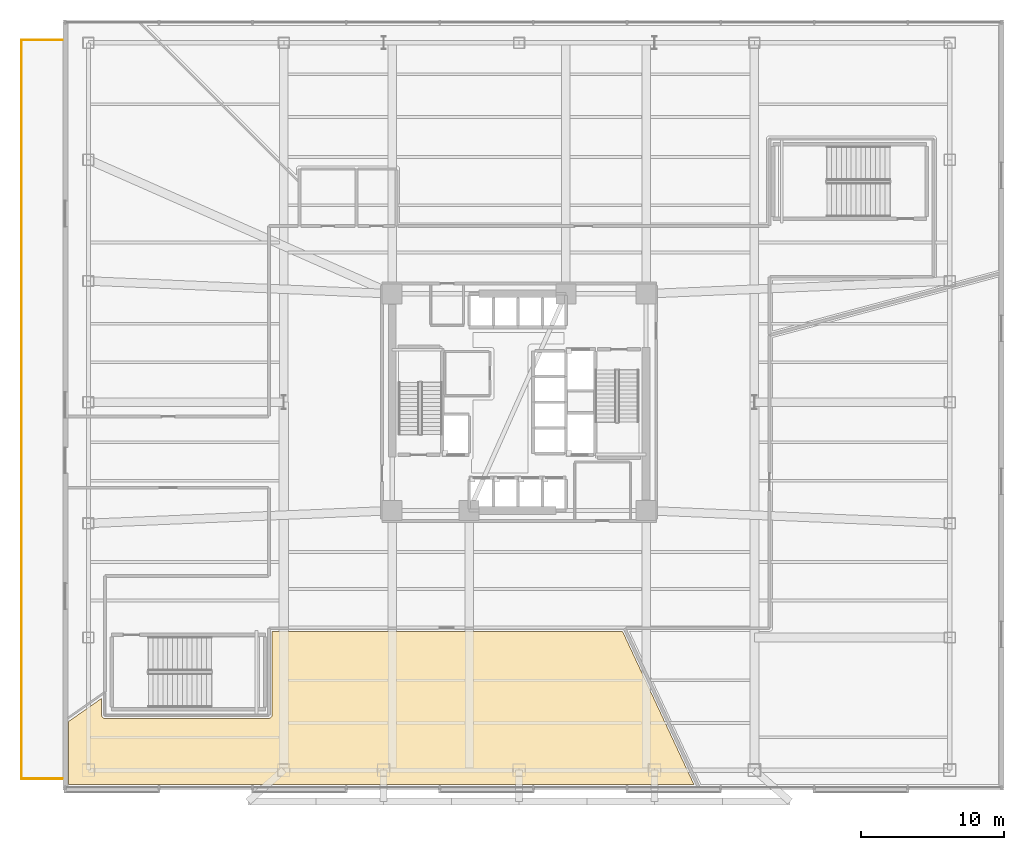
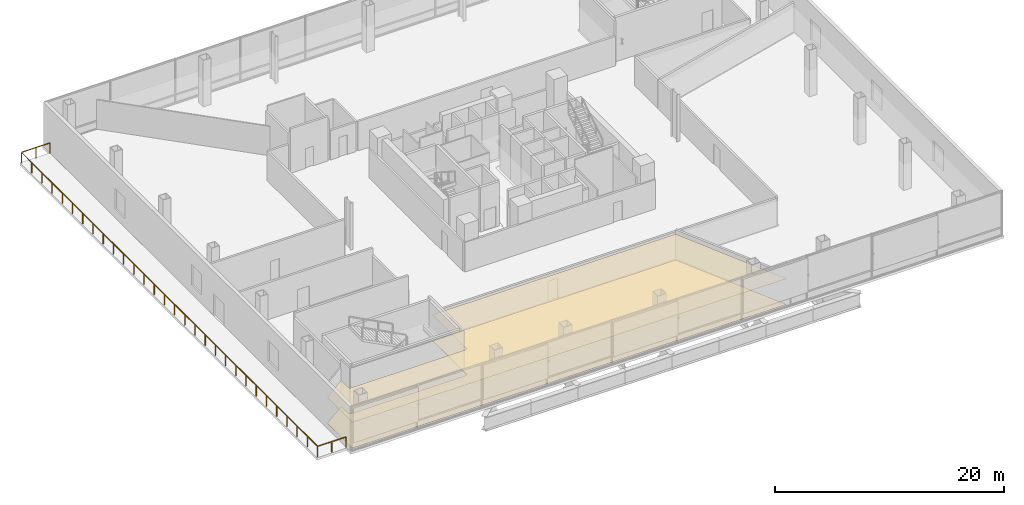
# One storey, part 17 of 20: 2 coverings, 1 railing.
"""IFC4 building model written with IfcOpenShell, lengths in metres."""

import ifcopenshell
import ifcopenshell.guid

model = None  # the IFC model being written
_history = None  # IfcOwnerHistory: only IFC2X3 demands one
_inside = {}  # id of a spatial element -> (the spatial element, [elements in it])
_under = {}  # id of a project, library or spatial element -> (it, [spatial elements below it])
_declared = {}  # id of a project -> (the project, [libraries it declares])
_typed = {}  # id of a type object -> (the type object, [elements of that type])
_made_of = {}  # id of a material, layer set ... -> (it, [elements and type objects made of it])


def new_model(schema):
    """Start an empty IFC model of exactly this schema.

    Asked for "IFC4X3", IfcOpenShell would pick the latest addendum, in which some entities
    have other attributes; the version numbers below select the first issue.
    IFC2X3 requires an IfcOwnerHistory on every rooted entity: one is made here for all.
    """
    global model, _history
    if schema == "IFC4X3":
        model = ifcopenshell.file(schema_version=(4, 3, 0, 0))
    else:
        model = ifcopenshell.file(schema=schema)
    _inside.clear()
    _under.clear()
    _declared.clear()
    _typed.clear()
    _made_of.clear()
    _history = None
    if model.schema == "IFC2X3":
        org = make("IfcOrganization", Name="unknown")
        user = make(
            "IfcPersonAndOrganization",
            ThePerson=make("IfcPerson", FamilyName="unknown"),
            TheOrganization=org,
        )
        app = make(
            "IfcApplication",
            ApplicationDeveloper=org,
            Version="unknown",
            ApplicationFullName="unknown",
            ApplicationIdentifier="unknown",
        )
        _history = make(
            "IfcOwnerHistory",
            OwningUser=user,
            OwningApplication=app,
            ChangeAction="ADDED",
            CreationDate=0,
        )
    return model


def make(cls, **values):
    """One entity of the class cls with the attributes given. An attribute that is None is left unset."""
    return model.create_entity(
        cls, **{name: value for name, value in values.items() if value is not None}
    )


def rooted(cls, **values):
    """An entity with a GlobalId (a new one), such as an element, a storey or a relation."""
    return make(cls, GlobalId=ifcopenshell.guid.new(), OwnerHistory=_history, **values)


def si_unit(unit_type, name, prefix=None):
    """IfcSIUnit, for example si_unit("LENGTHUNIT", "METRE", prefix="MILLI")."""
    return make("IfcSIUnit", UnitType=unit_type, Prefix=prefix, Name=name)


def assignment(units):
    """IfcUnitAssignment: the units of a project."""
    return None if units is None else make("IfcUnitAssignment", Units=units)


def point(xyz):
    """IfcCartesianPoint."""
    return None if xyz is None else make("IfcCartesianPoint", Coordinates=xyz)


def direction(xyz):
    """IfcDirection."""
    return None if xyz is None else make("IfcDirection", DirectionRatios=xyz)


def frame(location, z_axis=None, x_axis=None):
    """IfcAxis2Placement3D, a coordinate frame: its origin and axes. An axis left out is left unset."""
    return make(
        "IfcAxis2Placement3D",
        Location=point(location),
        Axis=direction(z_axis),
        RefDirection=direction(x_axis),
    )


def frame_2d(location, x_axis=None):
    """IfcAxis2Placement2D, a coordinate frame in the plane: its origin and x axis."""
    return make(
        "IfcAxis2Placement2D", Location=point(location), RefDirection=direction(x_axis)
    )


def origin():
    """The frame at (0, 0, 0) with its axes left unset."""
    return frame((0.0, 0.0, 0.0))


def origin_2d():
    """The frame at (0, 0) in the plane with its x axis left unset."""
    return frame_2d((0.0, 0.0))


def place(relative_to, where):
    """IfcLocalPlacement: puts the frame where relative to a parent placement (None: the world)."""
    return make(
        "IfcLocalPlacement", PlacementRelTo=relative_to, RelativePlacement=where
    )


def context(
    kind, dimensions, precision=None, world=None, true_north=None, identifier=None
):
    """IfcGeometricRepresentationContext, for example the 3D "Model" context."""
    return make(
        "IfcGeometricRepresentationContext",
        ContextIdentifier=identifier,
        ContextType=kind,
        CoordinateSpaceDimension=dimensions,
        Precision=precision,
        WorldCoordinateSystem=world,
        TrueNorth=true_north,
    )


def subcontext(parent, identifier, kind, view, scale=None):
    """IfcGeometricRepresentationSubContext, for example "Body" below "Model"."""
    return make(
        "IfcGeometricRepresentationSubContext",
        ContextIdentifier=identifier,
        ContextType=kind,
        ParentContext=parent,
        TargetScale=scale,
        TargetView=view,
    )


def project(units=None, contexts=None):
    """IfcProject with its units and contexts."""
    return rooted(
        "IfcProject",
        Name="project",
        RepresentationContexts=contexts,
        UnitsInContext=assignment(units),
    )


def spatial(cls, under=None, at=None, **own):
    """A site, building, storey or space (cls), placed at a placement, below another one or the project."""
    s = rooted(cls, ObjectPlacement=at, **own)
    if under is not None:
        _under.setdefault(under.id(), (under, []))[1].append(s)
    return s


def polyline(points):
    """IfcPolyline through the points."""
    return make("IfcPolyline", Points=[point(p) for p in points])


def profile(cls, at=None, kind="AREA", **sizes):
    """A parametric profile (cls). Its sizes go by their IFC names, for example OverallWidth=200.0."""
    return make(cls, ProfileType=kind, Position=at, **sizes)


def rectangle(**sizes):
    """IfcRectangleProfileDef."""
    return profile("IfcRectangleProfileDef", **sizes)


def outline(outer, holes=None, kind="AREA"):
    """IfcArbitraryClosedProfileDef: a profile drawn as a closed curve; with holes, ...WithVoids."""
    if holes is None:
        return make("IfcArbitraryClosedProfileDef", ProfileType=kind, OuterCurve=outer)
    return make(
        "IfcArbitraryProfileDefWithVoids",
        ProfileType=kind,
        OuterCurve=outer,
        InnerCurves=holes,
    )


def extrude(swept, where, along, depth):
    """IfcExtrudedAreaSolid: the profile swept, set in the frame where, extruded along a direction by depth."""
    return make(
        "IfcExtrudedAreaSolid",
        SweptArea=swept,
        Position=where,
        ExtrudedDirection=direction(along),
        Depth=depth,
    )


def shape(context_of_items, identifier, shape_type, items):
    """IfcShapeRepresentation: the items that make up one representation, for example the "Body"."""
    return make(
        "IfcShapeRepresentation",
        ContextOfItems=context_of_items,
        RepresentationIdentifier=identifier,
        RepresentationType=shape_type,
        Items=items,
    )


def material(Name=None, Category=None):
    """IfcMaterial."""
    return make("IfcMaterial", Name=Name, Category=Category)


def layer(
    of_material, thickness, ventilated=None, Name=None, Category=None, Priority=None
):
    """IfcMaterialLayer: one layer of a wall or slab, of a material (None: an air gap)."""
    return make(
        "IfcMaterialLayer",
        Material=of_material,
        LayerThickness=thickness,
        IsVentilated=ventilated,
        Name=Name,
        Category=Category,
        Priority=Priority,
    )


def layer_set(layers, Name=None):
    """IfcMaterialLayerSet."""
    return make("IfcMaterialLayerSet", MaterialLayers=layers, LayerSetName=Name)


def made_of(thing, what):
    """Note that an element or type object is made of a material, layer set ...; save() writes the relation."""
    if what is not None:
        _made_of.setdefault(what.id(), (what, []))[1].append(thing)
    return thing


def type_object(cls, material=None, **own):
    """A type object (cls), such as IfcWallType, which elements share."""
    return made_of(rooted(cls, **own), material)


def element(
    cls,
    number,
    at=None,
    inside=None,
    cuts=None,
    type_object=None,
    material=None,
    context=None,
    identifier="Body",
    shape_type=None,
    held_by="IfcProductDefinitionShape",
    body=None,
    shapes=None,
    **own,
):
    """One element of the class cls, such as IfcWall. Its Tag is "e" and its number.

    at: its placement. inside: the storey or other place that contains it. cuts: it is an
    opening in that element (IfcRelVoidsElement). A single representation is given by context,
    identifier, shape_type and body (its items); several are given by shapes. held_by: the class
    of the entity that holds the representations. save() writes the other relations.
    """
    e = rooted(cls, Tag="e%d" % number, ObjectPlacement=at, **own)
    if body is not None:
        shapes = [shape(context, identifier, shape_type, body)]
    if shapes is not None:
        e.Representation = make(held_by, Representations=shapes)
    if inside is not None:
        _inside.setdefault(inside.id(), (inside, []))[1].append(e)
    if cuts is not None:
        rooted(
            "IfcRelVoidsElement", RelatingBuildingElement=cuts, RelatedOpeningElement=e
        )
    if type_object is not None:
        _typed.setdefault(type_object.id(), (type_object, []))[1].append(e)
    return made_of(e, material)


def aggregate(whole, parts):
    """IfcRelAggregates: a whole, such as a stair, and the parts it consists of."""
    return rooted("IfcRelAggregates", RelatingObject=whole, RelatedObjects=parts)


def save(model, path):
    """Write the relations noted so far, then the file.

    IfcRelAggregates (storeys below a building ...), IfcRelContainedInSpatialStructure (elements
    in a storey), IfcRelDefinesByType, IfcRelAssociatesMaterial and IfcRelDeclares: one each for
    every whole, place, type object, material and project.
    """
    for whole, parts in _under.values():
        aggregate(whole, parts)
    for where, things in _inside.values():
        rooted(
            "IfcRelContainedInSpatialStructure",
            RelatedElements=things,
            RelatingStructure=where,
        )
    for kind, things in _typed.values():
        rooted("IfcRelDefinesByType", RelatedObjects=things, RelatingType=kind)
    for what, things in _made_of.values():
        rooted("IfcRelAssociatesMaterial", RelatedObjects=things, RelatingMaterial=what)
    for by, libraries in _declared.values():
        rooted("IfcRelDeclares", RelatingContext=by, RelatedDefinitions=libraries)
    model.write(path)


model = new_model("IFC4")

# Units and contexts
model_context = context("Model", 3, precision=1e-05, world=origin(), true_north=direction((0.0, 1.0)))
body_context = subcontext(model_context, "Body", "Model", "MODEL_VIEW")
ifc_project = project(units=[si_unit("LENGTHUNIT", "METRE"), si_unit("AREAUNIT", "SQUARE_METRE"), si_unit("VOLUMEUNIT", "CUBIC_METRE"), si_unit("PLANEANGLEUNIT", "RADIAN"), si_unit("MASSUNIT", "GRAM", prefix="KILO")], contexts=[model_context])

# Site, building, storey
site_placement = place(None, origin())
site = spatial("IfcSite", under=ifc_project, at=site_placement, CompositionType="ELEMENT")
building_placement = place(site_placement, origin())
building = spatial("IfcBuilding", under=site, at=building_placement, Name="Tharavind Bronze Gate", CompositionType="ELEMENT")
storey_placement = place(building_placement, frame((0.0, 0.0, 16.5)))
storey = spatial("IfcBuildingStorey", under=building, at=storey_placement, Name="L03", CompositionType="ELEMENT", Elevation=16.5)

# Coverings
ifc_material_1 = material(Name="Engineered Oak & Carpet Tile", Category="wood")
ifc_layer_1 = layer(ifc_material_1, 0.02490234375)
ifc_layer_set_1 = layer_set([ifc_layer_1], Name="Engineered Oak & Carpet Tile")
covering_type_1 = type_object("IfcCoveringType", Name="ENGINEERED TIMBER FLOORING", PredefinedType="FLOORING", material=ifc_layer_set_1)
covering_1_placement = place(storey_placement, origin())
element("IfcCovering", 1, at=covering_1_placement, inside=storey, type_object=covering_type_1, Name="L03-PD-04 floor finish", PredefinedType="FLOORING", context=body_context, shape_type="SweptSolid", body=[
    extrude(outline(polyline([(12.25439453125, -26.800048828125), (7.250732421875, -16.070068359375), (-17.330078125, -16.070068359375), (-17.330078125, -21.949462890625), (-17.330322265625, -21.960205078125), (-17.330322265625, -21.960693359375), (-17.33251953125, -21.982421875), (-17.336669921875, -22.00341796875), (-17.343017578125, -22.024169921875), (-17.351318359375, -22.0439453125), (-17.361328125, -22.06298828125), (-17.373291015625, -22.0810546875), (-17.386962890625, -22.09765625), (-17.40234375, -22.113037109375), (-17.4189453125, -22.126708984375), (-17.43701171875, -22.138671875), (-17.4560546875, -22.148681640625), (-17.475830078125, -22.156982421875), (-17.49658203125, -22.163330078125), (-17.517578125, -22.16748046875), (-17.539306640625, -22.169677734375), (-17.539794921875, -22.169677734375), (-17.550537109375, -22.169921875), (-29.04931640625, -22.169921875), (-29.060302734375, -22.169677734375), (-29.060791015625, -22.169677734375), (-29.082275390625, -22.16748046875), (-29.103515625, -22.163330078125), (-29.1240234375, -22.156982421875), (-29.14404296875, -22.148681640625), (-29.1630859375, -22.138671875), (-29.180908203125, -22.126708984375), (-29.19775390625, -22.113037109375), (-29.212890625, -22.09765625), (-29.226806640625, -22.0810546875), (-29.23876953125, -22.06298828125), (-29.248779296875, -22.0439453125), (-29.257080078125, -22.024169921875), (-29.263427734375, -22.00341796875), (-29.267578125, -21.982421875), (-29.269775390625, -21.960693359375), (-29.269775390625, -21.960205078125), (-29.27001953125, -21.949462890625), (-29.27001953125, -20.763671875), (-31.60009765625, -22.39501953125), (-31.60009765625, -26.800048828125), (12.25439453125, -26.800048828125)])), origin(), (0.0, 0.0, 1.0), 0.02490234375),
])
ifc_material_2 = material(Name="Acoustic Gypsum Board", Category="gypsum")
ifc_layer_2 = layer(ifc_material_2, 0.030029296875)
ifc_layer_set_2 = layer_set([ifc_layer_2], Name="Acoustic Gypsum Board")
covering_type_2 = type_object("IfcCoveringType", Name="GYPSUM SUSPENDED CEILING", PredefinedType="CEILING", material=ifc_layer_set_2)
covering_2_placement = place(storey_placement, frame((0.0, 0.0, 2.75)))
element("IfcCovering", 2, at=covering_2_placement, inside=storey, type_object=covering_type_2, Name="L03-PD-04 suspended ceiling", PredefinedType="CEILING", context=body_context, shape_type="SweptSolid", body=[
    extrude(outline(polyline([(12.25439453125, -26.800048828125), (7.250732421875, -16.070068359375), (-17.330078125, -16.070068359375), (-17.330078125, -21.949462890625), (-17.330322265625, -21.960205078125), (-17.330322265625, -21.960693359375), (-17.33251953125, -21.982421875), (-17.336669921875, -22.00341796875), (-17.343017578125, -22.024169921875), (-17.351318359375, -22.0439453125), (-17.361328125, -22.06298828125), (-17.373291015625, -22.0810546875), (-17.386962890625, -22.09765625), (-17.40234375, -22.113037109375), (-17.4189453125, -22.126708984375), (-17.43701171875, -22.138671875), (-17.4560546875, -22.148681640625), (-17.475830078125, -22.156982421875), (-17.49658203125, -22.163330078125), (-17.517578125, -22.16748046875), (-17.539306640625, -22.169677734375), (-17.539794921875, -22.169677734375), (-17.550537109375, -22.169921875), (-29.04931640625, -22.169921875), (-29.060302734375, -22.169677734375), (-29.060791015625, -22.169677734375), (-29.082275390625, -22.16748046875), (-29.103515625, -22.163330078125), (-29.1240234375, -22.156982421875), (-29.14404296875, -22.148681640625), (-29.1630859375, -22.138671875), (-29.180908203125, -22.126708984375), (-29.19775390625, -22.113037109375), (-29.212890625, -22.09765625), (-29.226806640625, -22.0810546875), (-29.23876953125, -22.06298828125), (-29.248779296875, -22.0439453125), (-29.257080078125, -22.024169921875), (-29.263427734375, -22.00341796875), (-29.267578125, -21.982421875), (-29.269775390625, -21.960693359375), (-29.269775390625, -21.960205078125), (-29.27001953125, -21.949462890625), (-29.27001953125, -20.763671875), (-31.60009765625, -22.39501953125), (-31.60009765625, -26.800048828125), (12.25439453125, -26.800048828125)])), origin(), (0.0, 0.0, 1.0), 0.034912109375),
])

# Railing
ifc_material_3 = material(Name="Bronze Cap & Laminated Glass", Category="glass")
railing_type = type_object("IfcRailingType", Name="TERRACE GLASS GUARD RAILING 1150", PredefinedType="GUARDRAIL", material=ifc_material_3)
railing_placement = place(storey_placement, frame((-32.02001953125, -26.39990234375, 0.0)))
element("IfcRailing", 3, at=railing_placement, inside=storey, type_object=railing_type, Name="L03 west terrace perimeter guard railing", PredefinedType="GUARDRAIL", context=body_context, shape_type="SweptSolid", body=[
    extrude(rectangle(XDim=0.048095703125, YDim=0.048095703125, at=origin_2d()), frame((-0.031982421875, 0.0, 1.1259765625), z_axis=(-1.0, 0.0, 0.0), x_axis=(0.0, -1.0, 0.0)), (0.0, 0.0, 1.0), 2.81591796875),
    extrude(rectangle(XDim=0.048095703125, YDim=0.048095703125, at=origin_2d()), frame((-2.8798828125, 0.031982421875, 1.1259765625), z_axis=(0.0, 1.0, 0.0), x_axis=(-1.0, 0.0, 0.0)), (0.0, 0.0, 1.0), 51.73583984375),
    extrude(rectangle(XDim=0.048095703125, YDim=0.048095703125, at=origin_2d()), frame((-2.847900390625, 51.7998046875, 1.1259765625), z_axis=(1.0, 0.0, 0.0), x_axis=(0.0, 1.0, 0.0)), (0.0, 0.0, 1.0), 2.81591796875),
    extrude(rectangle(XDim=0.0400390625, YDim=0.0400390625, at=origin_2d()), origin(), (0.0, 0.0, 1.0), 1.097900390625),
    extrude(rectangle(XDim=0.0400390625, YDim=0.0400390625, at=origin_2d()), frame((-1.43994140625, 0.0, 0.0)), (0.0, 0.0, 1.0), 1.097900390625),
    extrude(rectangle(XDim=0.0400390625, YDim=0.0400390625, at=origin_2d()), frame((-2.8798828125, 0.0, 0.0)), (0.0, 0.0, 1.0), 1.097900390625),
    extrude(rectangle(XDim=0.0400390625, YDim=0.0400390625, at=origin_2d()), frame((-2.8798828125, 1.7861328125, 0.0)), (0.0, 0.0, 1.0), 1.097900390625),
    extrude(rectangle(XDim=0.0400390625, YDim=0.0400390625, at=origin_2d()), frame((-2.8798828125, 3.572509765625, 0.0)), (0.0, 0.0, 1.0), 1.097900390625),
    extrude(rectangle(XDim=0.0400390625, YDim=0.0400390625, at=origin_2d()), frame((-2.8798828125, 5.358642578125, 0.0)), (0.0, 0.0, 1.0), 1.097900390625),
    extrude(rectangle(XDim=0.0400390625, YDim=0.0400390625, at=origin_2d()), frame((-2.8798828125, 7.144775390625, 0.0)), (0.0, 0.0, 1.0), 1.097900390625),
    extrude(rectangle(XDim=0.0400390625, YDim=0.0400390625, at=origin_2d()), frame((-2.8798828125, 8.930908203125, 0.0)), (0.0, 0.0, 1.0), 1.097900390625),
    extrude(rectangle(XDim=0.0400390625, YDim=0.0400390625, at=origin_2d()), frame((-2.8798828125, 10.71728515625, 0.0)), (0.0, 0.0, 1.0), 1.097900390625),
    extrude(rectangle(XDim=0.0400390625, YDim=0.0400390625, at=origin_2d()), frame((-2.8798828125, 12.50341796875, 0.0)), (0.0, 0.0, 1.0), 1.097900390625),
    extrude(rectangle(XDim=0.0400390625, YDim=0.0400390625, at=origin_2d()), frame((-2.8798828125, 14.28955078125, 0.0)), (0.0, 0.0, 1.0), 1.097900390625),
    extrude(rectangle(XDim=0.0400390625, YDim=0.0400390625, at=origin_2d()), frame((-2.8798828125, 16.07568359375, 0.0)), (0.0, 0.0, 1.0), 1.097900390625),
    extrude(rectangle(XDim=0.0400390625, YDim=0.0400390625, at=origin_2d()), frame((-2.8798828125, 17.862060546875, 0.0)), (0.0, 0.0, 1.0), 1.097900390625),
    extrude(rectangle(XDim=0.0400390625, YDim=0.0400390625, at=origin_2d()), frame((-2.8798828125, 19.648193359375, 0.0)), (0.0, 0.0, 1.0), 1.097900390625),
    extrude(rectangle(XDim=0.0400390625, YDim=0.0400390625, at=origin_2d()), frame((-2.8798828125, 21.434326171875, 0.0)), (0.0, 0.0, 1.0), 1.097900390625),
    extrude(rectangle(XDim=0.0400390625, YDim=0.0400390625, at=origin_2d()), frame((-2.8798828125, 23.220703125, 0.0)), (0.0, 0.0, 1.0), 1.097900390625),
    extrude(rectangle(XDim=0.0400390625, YDim=0.0400390625, at=origin_2d()), frame((-2.8798828125, 25.0068359375, 0.0)), (0.0, 0.0, 1.0), 1.097900390625),
    extrude(rectangle(XDim=0.0400390625, YDim=0.0400390625, at=origin_2d()), frame((-2.8798828125, 26.79296875, 0.0)), (0.0, 0.0, 1.0), 1.097900390625),
    extrude(rectangle(XDim=0.0400390625, YDim=0.0400390625, at=origin_2d()), frame((-2.8798828125, 28.5791015625, 0.0)), (0.0, 0.0, 1.0), 1.097900390625),
    extrude(rectangle(XDim=0.0400390625, YDim=0.0400390625, at=origin_2d()), frame((-2.8798828125, 30.365478515625, 0.0)), (0.0, 0.0, 1.0), 1.097900390625),
    extrude(rectangle(XDim=0.0400390625, YDim=0.0400390625, at=origin_2d()), frame((-2.8798828125, 32.151611328125, 0.0)), (0.0, 0.0, 1.0), 1.097900390625),
    extrude(rectangle(XDim=0.0400390625, YDim=0.0400390625, at=origin_2d()), frame((-2.8798828125, 33.937744140625, 0.0)), (0.0, 0.0, 1.0), 1.097900390625),
    extrude(rectangle(XDim=0.0400390625, YDim=0.0400390625, at=origin_2d()), frame((-2.8798828125, 35.72412109375, 0.0)), (0.0, 0.0, 1.0), 1.097900390625),
    extrude(rectangle(XDim=0.0400390625, YDim=0.0400390625, at=origin_2d()), frame((-2.8798828125, 37.51025390625, 0.0)), (0.0, 0.0, 1.0), 1.097900390625),
    extrude(rectangle(XDim=0.0400390625, YDim=0.0400390625, at=origin_2d()), frame((-2.8798828125, 39.29638671875, 0.0)), (0.0, 0.0, 1.0), 1.097900390625),
    extrude(rectangle(XDim=0.0400390625, YDim=0.0400390625, at=origin_2d()), frame((-2.8798828125, 41.08251953125, 0.0)), (0.0, 0.0, 1.0), 1.097900390625),
    extrude(rectangle(XDim=0.0400390625, YDim=0.0400390625, at=origin_2d()), frame((-2.8798828125, 42.868896484375, 0.0)), (0.0, 0.0, 1.0), 1.097900390625),
    extrude(rectangle(XDim=0.0400390625, YDim=0.0400390625, at=origin_2d()), frame((-2.8798828125, 44.655029296875, 0.0)), (0.0, 0.0, 1.0), 1.097900390625),
    extrude(rectangle(XDim=0.0400390625, YDim=0.0400390625, at=origin_2d()), frame((-2.8798828125, 46.441162109375, 0.0)), (0.0, 0.0, 1.0), 1.097900390625),
    extrude(rectangle(XDim=0.0400390625, YDim=0.0400390625, at=origin_2d()), frame((-2.8798828125, 48.227294921875, 0.0)), (0.0, 0.0, 1.0), 1.097900390625),
    extrude(rectangle(XDim=0.0400390625, YDim=0.0400390625, at=origin_2d()), frame((-2.8798828125, 50.013671875, 0.0)), (0.0, 0.0, 1.0), 1.097900390625),
    extrude(rectangle(XDim=0.0400390625, YDim=0.0400390625, at=origin_2d()), frame((-2.8798828125, 51.7998046875, 0.0)), (0.0, 0.0, 1.0), 1.097900390625),
    extrude(rectangle(XDim=0.0400390625, YDim=0.0400390625, at=origin_2d()), frame((-1.43994140625, 51.7998046875, 0.0)), (0.0, 0.0, 1.0), 1.097900390625),
    extrude(rectangle(XDim=0.0400390625, YDim=0.0400390625, at=origin_2d()), frame((0.0, 51.7998046875, 0.0)), (0.0, 0.0, 1.0), 1.097900390625),
])

save(model, "model.ifc")
